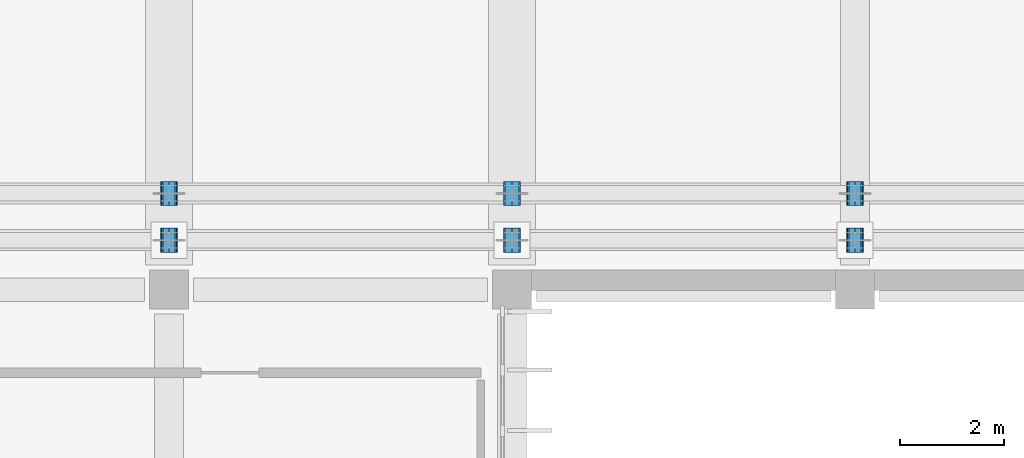
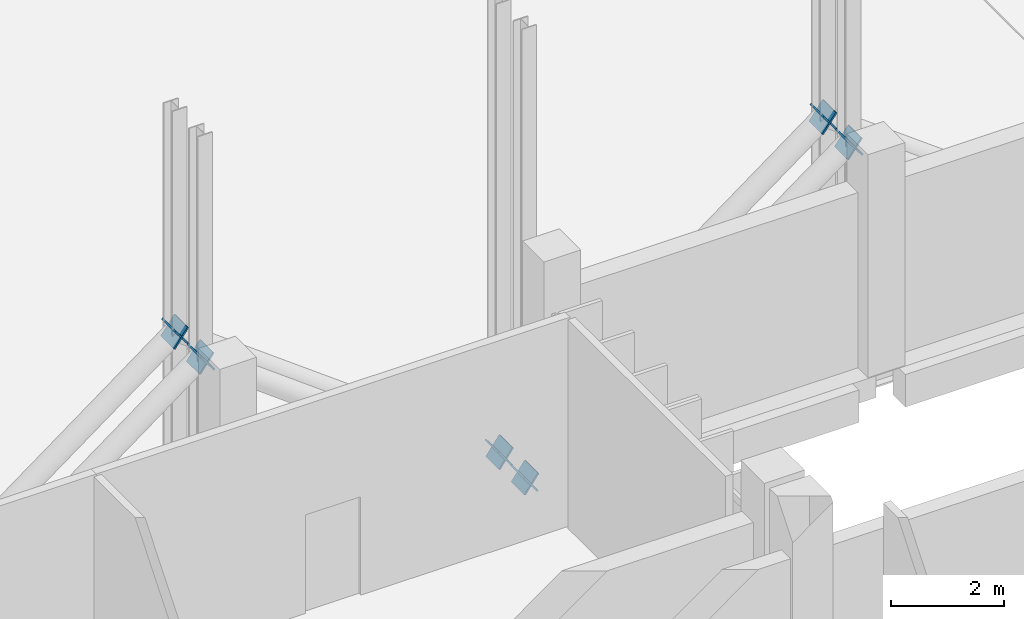
# One storey, part 59 of 73: 12 discrete accessories.
"""IFC4 building model written with IfcOpenShell, lengths in metres."""

from ifc_helpers import new_model, si_unit, direction, frame, origin, origin_2d, place, context, subcontext, project, spatial, rectangle, extrude, material, material_profile, profile_set, type_object, element, save


model = new_model("IFC4")

# Units and contexts
model_context = context("Model", 3, precision=1e-05, world=origin(), true_north=direction((0.0, 1.0)))
body_context = subcontext(model_context, "Body", "Model", "MODEL_VIEW")
ifc_project = project(units=[si_unit("LENGTHUNIT", "METRE"), si_unit("AREAUNIT", "SQUARE_METRE"), si_unit("VOLUMEUNIT", "CUBIC_METRE"), si_unit("PLANEANGLEUNIT", "RADIAN"), si_unit("MASSUNIT", "GRAM", prefix="KILO")], contexts=[model_context])

# Site, building, storey
site_placement = place(None, origin())
site = spatial("IfcSite", under=ifc_project, at=site_placement, CompositionType="ELEMENT")
building_placement = place(site_placement, origin())
building = spatial("IfcBuilding", under=site, at=building_placement, Name="Kelarvand Opera House", CompositionType="ELEMENT")
storey_placement = place(building_placement, frame((0.0, 0.0, 10.199951171875)))
storey = spatial("IfcBuildingStorey", under=building, at=storey_placement, Name="L02", CompositionType="ELEMENT", Elevation=10.199951171875)

# Discrete accessories
ifc_material = material(Name="Steel S355", Category="steel")
ifc_material_profile = material_profile(ifc_material, rectangle(XDim=0.466064453125, YDim=0.466064453125, at=origin_2d()), Name="Welded Steel Hollow End-Cap Plate 466x466x24", Category="steel")
ifc_profile_set = profile_set([ifc_material_profile], Name="Steel S355")
discrete_accessory_type = type_object("IfcDiscreteAccessoryType", Name="Welded Steel Hollow End-Cap Plate 466x466x24", PredefinedType="SHOE", material=ifc_profile_set)
for number, where, z_axis, x_axis, name in (
    (1, (121.99365234375, 47.550048828125, 4.125244140625), (0.801627475093, 0.0, 0.59782387973), (0.0, 1.0, 0.0), "Hollow Section Welded End Cap 118"),
    (2, (122.00634765625, 47.550048828125, 4.125244140625), (-0.801627475093, 0.0, 0.59782387973), (0.0, -1.0, 0.0), "Hollow Section Welded End Cap 121"),
):
    element("IfcDiscreteAccessory", number, at=place(storey_placement, frame(where, z_axis=z_axis, x_axis=x_axis)), inside=storey, type_object=discrete_accessory_type, Name=name, PredefinedType="SHOE", context=body_context, shape_type="SweptSolid", body=[
        extrude(rectangle(XDim=0.466064453125, YDim=0.466064453125, at=origin_2d()), origin(), (0.0, 0.0, 1.0), 0.035888671875),
    ])
for number, where, z_axis, x_axis, name in (
    (3, (128.593505859375, 47.550048828125, -0.76513671875), (0.804035700636, 0.0, -0.594581022319), (0.0, 1.0, 0.0), "Hollow Section Welded End Cap 122"),
    (4, (128.6064453125, 47.550048828125, -0.76513671875), (-0.804035700636, 0.0, -0.594581022319), (0.0, -1.0, 0.0), "Hollow Section Welded End Cap 125"),
):
    element("IfcDiscreteAccessory", number, at=place(storey_placement, frame(where, z_axis=z_axis, x_axis=x_axis)), inside=storey, type_object=discrete_accessory_type, Name=name, PredefinedType="SHOE", context=body_context, shape_type="SweptSolid", body=[
        extrude(rectangle(XDim=0.466064453125, YDim=0.466064453125, at=origin_2d()), origin(), (0.0, 0.0, 1.0), 0.0361328125),
    ])
for number, where, z_axis, x_axis, name in (
    (5, (135.193603515625, 47.550048828125, 4.125244140625), (0.801627475093, 0.0, 0.59782387973), (0.0, 1.0, 0.0), "Hollow Section Welded End Cap 126"),
    (6, (135.206298828125, 47.550048828125, 4.125244140625), (-0.801627475093, 0.0, 0.59782387973), (0.0, -1.0, 0.0), "Hollow Section Welded End Cap 129"),
    (7, (121.99365234375, 48.449951171875, 4.125244140625), (0.801627475093, 0.0, 0.59782387973), (0.0, 1.0, 0.0), "Hollow Section Welded End Cap 142"),
    (8, (122.00634765625, 48.449951171875, 4.125244140625), (-0.801627475093, 0.0, 0.59782387973), (0.0, -1.0, 0.0), "Hollow Section Welded End Cap 145"),
):
    element("IfcDiscreteAccessory", number, at=place(storey_placement, frame(where, z_axis=z_axis, x_axis=x_axis)), inside=storey, type_object=discrete_accessory_type, Name=name, PredefinedType="SHOE", context=body_context, shape_type="SweptSolid", body=[
        extrude(rectangle(XDim=0.466064453125, YDim=0.466064453125, at=origin_2d()), origin(), (0.0, 0.0, 1.0), 0.035888671875),
    ])
for number, where, z_axis, x_axis, name in (
    (9, (128.593505859375, 48.449951171875, -0.76513671875), (0.804035700636, 0.0, -0.594581022319), (0.0, 1.0, 0.0), "Hollow Section Welded End Cap 146"),
    (10, (128.6064453125, 48.449951171875, -0.76513671875), (-0.804035700636, 0.0, -0.594581022319), (0.0, -1.0, 0.0), "Hollow Section Welded End Cap 149"),
):
    element("IfcDiscreteAccessory", number, at=place(storey_placement, frame(where, z_axis=z_axis, x_axis=x_axis)), inside=storey, type_object=discrete_accessory_type, Name=name, PredefinedType="SHOE", context=body_context, shape_type="SweptSolid", body=[
        extrude(rectangle(XDim=0.466064453125, YDim=0.466064453125, at=origin_2d()), origin(), (0.0, 0.0, 1.0), 0.0361328125),
    ])
for number, where, z_axis, x_axis, name in (
    (11, (135.193603515625, 48.449951171875, 4.125244140625), (0.801627475093, 0.0, 0.59782387973), (0.0, 1.0, 0.0), "Hollow Section Welded End Cap 150"),
    (12, (135.206298828125, 48.449951171875, 4.125244140625), (-0.801627475093, 0.0, 0.59782387973), (0.0, -1.0, 0.0), "Hollow Section Welded End Cap 153"),
):
    element("IfcDiscreteAccessory", number, at=place(storey_placement, frame(where, z_axis=z_axis, x_axis=x_axis)), inside=storey, type_object=discrete_accessory_type, Name=name, PredefinedType="SHOE", context=body_context, shape_type="SweptSolid", body=[
        extrude(rectangle(XDim=0.466064453125, YDim=0.466064453125, at=origin_2d()), origin(), (0.0, 0.0, 1.0), 0.035888671875),
    ])

save(model, "model.ifc")
